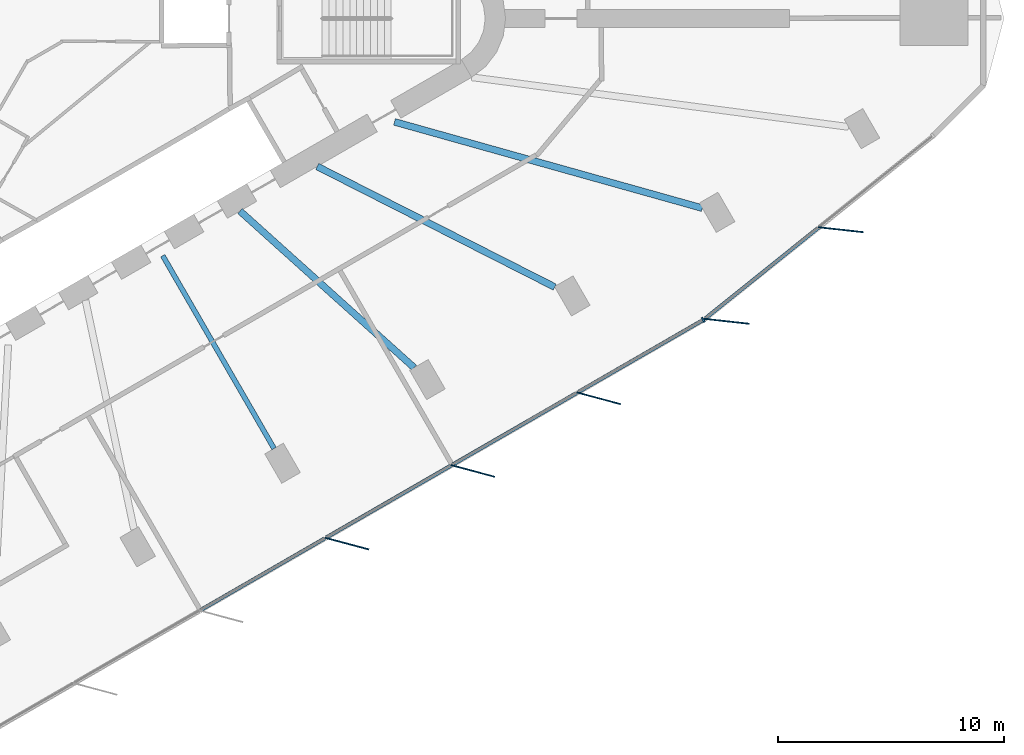
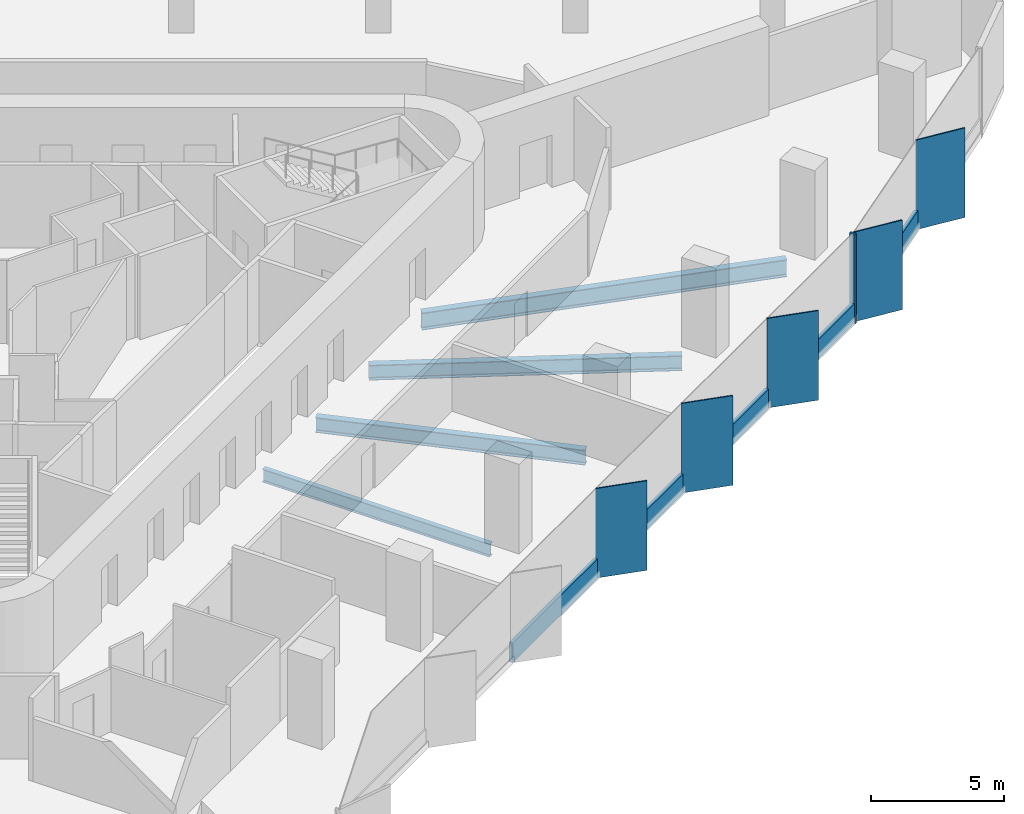
# One storey, part 3 of 15: 11 members, 4 beams, 2 elements without a shape of their own.
"""IFC4 building model written with IfcOpenShell, lengths in metres."""

from ifc_helpers import new_model, si_unit, direction, frame, origin, origin_2d, place, context, subcontext, project, spatial, rectangle, i_section, extrude, material, material_profile, profile_set, type_object, element, aggregate, save


model = new_model("IFC4")

# Units and contexts
model_context = context("Model", 3, precision=1e-05, world=origin(), true_north=direction((0.0, 1.0)))
body_context = subcontext(model_context, "Body", "Model", "MODEL_VIEW")
ifc_project = project(units=[si_unit("LENGTHUNIT", "METRE"), si_unit("AREAUNIT", "SQUARE_METRE"), si_unit("VOLUMEUNIT", "CUBIC_METRE"), si_unit("PLANEANGLEUNIT", "RADIAN"), si_unit("MASSUNIT", "GRAM", prefix="KILO")], contexts=[model_context])

# Site, building, storey
site_placement = place(None, origin())
site = spatial("IfcSite", under=ifc_project, at=site_placement, CompositionType="ELEMENT")
building_placement = place(site_placement, origin())
building = spatial("IfcBuilding", under=site, at=building_placement, Name="Tanit Gate Tower", CompositionType="ELEMENT")
storey_placement = place(building_placement, frame((0.0, 0.0, 135.699951171875)))
storey = spatial("IfcBuildingStorey", under=building, at=storey_placement, Name="L29", CompositionType="ELEMENT", Elevation=135.699951171875)

# Curtain wall, members
ifc_material_1 = material(Name="Aluminium bronze anodised and glass", Category="aluminium")
curtain_wall_type = type_object("IfcCurtainWallType", Name="Curtain wall typical low", PredefinedType="NOTDEFINED", material=ifc_material_1)
curtain_wall_1_placement = place(storey_placement, origin())
curtain_wall_1 = element("IfcCurtainWall", 1, at=curtain_wall_1_placement, inside=storey, type_object=curtain_wall_type, Name="Curtain wall L29 SE2", PredefinedType="NOTDEFINED")
ifc_material_2 = material(Name="Aluminium bronze anodised", Category="aluminium")
ifc_material_profile_1 = material_profile(ifc_material_2, rectangle(XDim=2.0, YDim=0.055908203125, at=origin_2d()), Name="56x2000 bronze fin mullion")
ifc_profile_set_1 = profile_set([ifc_material_profile_1], Name="Aluminium bronze anodised")
member_type_1 = type_object("IfcMemberType", Name="FIN MULLION 56x2000 bronze", PredefinedType="MULLION", material=ifc_profile_set_1)
member_1_placement = place(storey_placement, frame((14.1943359375, -23.203125, -0.300048828125), z_axis=(0.0, 0.0, 1.0), x_axis=(-0.965907877772, 0.258886020591, 0.0)))
member_1 = element("IfcMember", 2, at=member_1_placement, type_object=member_type_1, Name="Fin mullion L29 SE2.4", PredefinedType="MULLION", context=body_context, shape_type="SweptSolid", body=[
    extrude(rectangle(XDim=2.0, YDim=0.055908203125, at=origin_2d()), origin(), (0.0, 0.0, 1.0), 4.10009765625),
])
member_2_placement = place(storey_placement, frame((19.75634765625, -19.992431640625, -0.300048828125), z_axis=(0.0, 0.0, 1.0), x_axis=(-0.965907877772, 0.258886020591, 0.0)))
member_2 = element("IfcMember", 3, at=member_2_placement, type_object=member_type_1, Name="Fin mullion L29 SE2.5", PredefinedType="MULLION", context=body_context, shape_type="SweptSolid", body=[
    extrude(rectangle(XDim=2.0, YDim=0.055908203125, at=origin_2d()), origin(), (0.0, 0.0, 1.0), 4.10009765625),
])
member_3_placement = place(storey_placement, frame((25.318115234375, -16.78173828125, -0.300048828125), z_axis=(0.0, 0.0, 1.0), x_axis=(-0.965907877772, 0.258886020591, 0.0)))
member_3 = element("IfcMember", 4, at=member_3_placement, type_object=member_type_1, Name="Fin mullion L29 SE2.6", PredefinedType="MULLION", context=body_context, shape_type="SweptSolid", body=[
    extrude(rectangle(XDim=2.0, YDim=0.055908203125, at=origin_2d()), origin(), (0.0, 0.0, 1.0), 4.10009765625),
])

curtain_wall_2_placement = place(storey_placement, origin())
curtain_wall_2 = element("IfcCurtainWall", 5, at=curtain_wall_2_placement, inside=storey, type_object=curtain_wall_type, Name="Curtain wall L29 SE3", PredefinedType="NOTDEFINED")
member_4_placement = place(storey_placement, frame((30.9736328125, -13.37939453125, -0.300048828125), z_axis=(0.0, 0.0, 1.0), x_axis=(-0.994043583052, 0.108983278505, 0.0)))
member_4 = element("IfcMember", 6, at=member_4_placement, type_object=member_type_1, Name="Fin mullion L29 SE3.1", PredefinedType="MULLION", context=body_context, shape_type="SweptSolid", body=[
    extrude(rectangle(XDim=2.0, YDim=0.055908203125, at=origin_2d()), origin(), (0.0, 0.0, 1.0), 4.10009765625),
])
member_5_placement = place(storey_placement, frame((36.01708984375, -9.33251953125, -0.300048828125), z_axis=(0.0, 0.0, 1.0), x_axis=(-0.994043583052, 0.108983278505, 0.0)))
member_5 = element("IfcMember", 7, at=member_5_placement, type_object=member_type_1, Name="Fin mullion L29 SE3.2", PredefinedType="MULLION", context=body_context, shape_type="SweptSolid", body=[
    extrude(rectangle(XDim=2.0, YDim=0.055908203125, at=origin_2d()), origin(), (0.0, 0.0, 1.0), 4.10009765625),
])

# Member
ifc_material_3 = material(Name="Aluminium bronze anodised", Category="aluminium")
ifc_material_profile_2 = material_profile(ifc_material_3, rectangle(XDim=0.239990234375, YDim=0.080078125, at=origin_2d()), Name="80x240 bronze mullion")
ifc_profile_set_2 = profile_set([ifc_material_profile_2], Name="Aluminium bronze anodised")
member_type_2 = type_object("IfcMemberType", Name="Mullion 80x240 typical low", PredefinedType="MULLION", material=ifc_profile_set_2)
member_6_placement = place(storey_placement, frame((29.93603515625, -13.31787109375, -0.300048828125), z_axis=(0.0, 0.0, 1.0), x_axis=(-0.49993994966, 0.866060071089, 0.0)))
member_6 = element("IfcMember", 8, at=member_6_placement, type_object=member_type_2, Name="Mullion L29 SE2.7", PredefinedType="MULLION", context=body_context, shape_type="SweptSolid", body=[
    extrude(rectangle(XDim=0.239990234375, YDim=0.080078125, at=origin_2d()), origin(), (0.0, 0.0, 1.0), 4.10009765625),
])

# Beams
ifc_material_4 = material(Name="Steel S355", Category="steel")
ifc_material_profile_3 = material_profile(ifc_material_4, i_section(OverallWidth=0.300048828125, OverallDepth=0.68994140625, WebThickness=0.014404296875, FlangeThickness=0.027099609375, FilletRadius=0.027099609375, at=origin_2d()), Name="HEA 700")
ifc_profile_set_3 = profile_set([ifc_material_profile_3], Name="Steel S355")
beam_type_1 = type_object("IfcBeamType", Name="RADIAL GIRDER HEA 700 S355", PredefinedType="BEAM", material=ifc_profile_set_3)
beam_1_placement = place(storey_placement, frame((17.16015625, -15.427978515625, -0.64501953125), z_axis=(-0.743635434567, 0.668585327731, 0.0), x_axis=(-0.668585327731, -0.743635434567, 0.0)))
element("IfcBeam", 9, at=beam_1_placement, inside=storey, type_object=beam_type_1, Name="RADIAL GIRDER", PredefinedType="BEAM", context=body_context, shape_type="SweptSolid", body=[
    extrude(i_section(OverallWidth=0.300048828125, OverallDepth=0.68994140625, WebThickness=0.014404296875, FlangeThickness=0.027099609375, FilletRadius=0.027099609375, at=origin_2d()), origin(), (0.0, 0.0, 1.0), 10.347900390625),
])
beam_2_placement = place(storey_placement, frame((23.3720703125, -11.865966796875, -0.64501953125), z_axis=(-0.891663548412, 0.452698703813, 0.0), x_axis=(-0.452698703813, -0.891663548412, 0.0)))
element("IfcBeam", 10, at=beam_2_placement, inside=storey, type_object=beam_type_1, Name="RADIAL GIRDER", PredefinedType="BEAM", context=body_context, shape_type="SweptSolid", body=[
    extrude(i_section(OverallWidth=0.300048828125, OverallDepth=0.68994140625, WebThickness=0.014404296875, FlangeThickness=0.027099609375, FilletRadius=0.027099609375, at=origin_2d()), origin(), (0.0, 0.0, 1.0), 11.76806640625),
])
ifc_material_5 = material(Name="Steel S355", Category="steel")
ifc_material_profile_4 = material_profile(ifc_material_5, i_section(OverallWidth=0.300048828125, OverallDepth=0.7900390625, WebThickness=0.014892578125, FlangeThickness=0.028076171875, FilletRadius=0.030029296875, at=origin_2d()), Name="HEA 800")
ifc_profile_set_4 = profile_set([ifc_material_profile_4], Name="Steel S355")
beam_type_2 = type_object("IfcBeamType", Name="RADIAL GIRDER HEA 800 S355", PredefinedType="BEAM", material=ifc_profile_set_4)
beam_3_placement = place(storey_placement, frame((29.894775390625, -8.380615234375, -0.695068359375), z_axis=(-0.962877094129, 0.269940181523, 0.0), x_axis=(-0.269940181523, -0.962877094129, 0.0)))
element("IfcBeam", 11, at=beam_3_placement, inside=storey, type_object=beam_type_2, Name="RADIAL GIRDER", PredefinedType="BEAM", context=body_context, shape_type="SweptSolid", body=[
    extrude(i_section(OverallWidth=0.300048828125, OverallDepth=0.7900390625, WebThickness=0.014892578125, FlangeThickness=0.028076171875, FilletRadius=0.030029296875, at=origin_2d()), origin(), (0.0, 0.0, 1.0), 14.126220703125),
])
ifc_material_6 = material(Name="Steel S355", Category="steel")
ifc_material_profile_5 = material_profile(ifc_material_6, i_section(OverallWidth=0.219970703125, OverallDepth=0.60009765625, WebThickness=0.011962890625, FlangeThickness=0.01904296875, FilletRadius=0.02392578125, at=origin_2d()), Name="IPE 600")
ifc_profile_set_5 = profile_set([ifc_material_profile_5], Name="Steel S355")
beam_type_3 = type_object("IfcBeamType", Name="RADIAL GIRDER IPE 600 S355", PredefinedType="BEAM", material=ifc_profile_set_5)
beam_4_placement = place(storey_placement, frame((10.970703125, -19.001708984375, -0.599853515625), z_axis=(-0.500005971936, 0.866021955858, 0.0), x_axis=(-0.866021955858, -0.500005971936, 0.0)))
element("IfcBeam", 12, at=beam_4_placement, inside=storey, type_object=beam_type_3, Name="RADIAL GIRDER", PredefinedType="BEAM", context=body_context, shape_type="SweptSolid", body=[
    extrude(i_section(OverallWidth=0.219970703125, OverallDepth=0.60009765625, WebThickness=0.011962890625, FlangeThickness=0.01904296875, FilletRadius=0.02392578125, at=origin_2d()), origin(), (0.0, 0.0, 1.0), 9.83935546875),
])

# Member
ifc_material_7 = material(Name="Aluminium bronze anodised", Category="aluminium")
ifc_material_profile_6 = material_profile(ifc_material_7, rectangle(XDim=0.159912109375, YDim=0.89990234375, at=origin_2d()), Name="160x900 bronze transom")
ifc_profile_set_6 = profile_set([ifc_material_profile_6], Name="Aluminium bronze anodised")
member_type_3 = type_object("IfcMemberType", Name="Transom 160x900 typical low", PredefinedType="USERDEFINED", material=ifc_profile_set_6)
member_7_placement = place(storey_placement, frame((7.722900390625, -26.140625, 0.150146484375), z_axis=(0.866062512225, 0.499935720787, 0.0), x_axis=(-0.499935720787, 0.866062512225, 0.0)))
member_7 = element("IfcMember", 13, at=member_7_placement, type_object=member_type_3, Name="Transom L29 SE2.3", ObjectType="TRANSOM", PredefinedType="USERDEFINED", context=body_context, shape_type="SweptSolid", body=[
    extrude(rectangle(XDim=0.159912109375, YDim=0.89990234375, at=origin_2d()), origin(), (0.0, 0.0, 1.0), 6.342041015625),
])

member_8_placement = place(storey_placement, frame((13.284912109375, -22.929931640625, 0.150146484375), z_axis=(0.866062512225, 0.499935720787, 0.0), x_axis=(-0.499935720787, 0.866062512225, 0.0)))
member_8 = element("IfcMember", 14, at=member_8_placement, type_object=member_type_3, Name="Transom L29 SE2.4", ObjectType="TRANSOM", PredefinedType="USERDEFINED", context=body_context, shape_type="SweptSolid", body=[
    extrude(rectangle(XDim=0.159912109375, YDim=0.89990234375, at=origin_2d()), origin(), (0.0, 0.0, 1.0), 6.342041015625),
])

member_9_placement = place(storey_placement, frame((18.8466796875, -19.71923828125, 0.150146484375), z_axis=(0.866072133042, 0.499919053816, 0.0), x_axis=(-0.499919053816, 0.866072133042, 0.0)))
member_9 = element("IfcMember", 15, at=member_9_placement, type_object=member_type_3, Name="Transom L29 SE2.5", ObjectType="TRANSOM", PredefinedType="USERDEFINED", context=body_context, shape_type="SweptSolid", body=[
    extrude(rectangle(XDim=0.159912109375, YDim=0.89990234375, at=origin_2d()), origin(), (0.0, 0.0, 1.0), 6.34228515625),
])

member_10_placement = place(storey_placement, frame((24.40869140625, -16.508544921875, 0.150146484375), z_axis=(0.866072133042, 0.499919053816, 0.0), x_axis=(-0.499919053816, 0.866072133042, 0.0)))
member_10 = element("IfcMember", 16, at=member_10_placement, type_object=member_type_3, Name="Transom L29 SE2.6", ObjectType="TRANSOM", PredefinedType="USERDEFINED", context=body_context, shape_type="SweptSolid", body=[
    extrude(rectangle(XDim=0.159912109375, YDim=0.89990234375, at=origin_2d()), origin(), (0.0, 0.0, 1.0), 6.34228515625),
])

aggregate(curtain_wall_1, [member_1, member_2, member_3, member_6, member_7, member_8, member_9, member_10])

member_11_placement = place(storey_placement, frame((30.033203125, -13.247802734375, 0.150146484375), z_axis=(0.779961709235, 0.625827238244, 0.0), x_axis=(-0.625827238244, 0.779961709235, 0.0)))
member_11 = element("IfcMember", 17, at=member_11_placement, type_object=member_type_3, Name="Transom L29 SE3.1", ObjectType="TRANSOM", PredefinedType="USERDEFINED", context=body_context, shape_type="SweptSolid", body=[
    extrude(rectangle(XDim=0.159912109375, YDim=0.89990234375, at=origin_2d()), origin(), (0.0, 0.0, 1.0), 6.386474609375),
])

aggregate(curtain_wall_2, [member_4, member_5, member_11])

save(model, "model.ifc")
